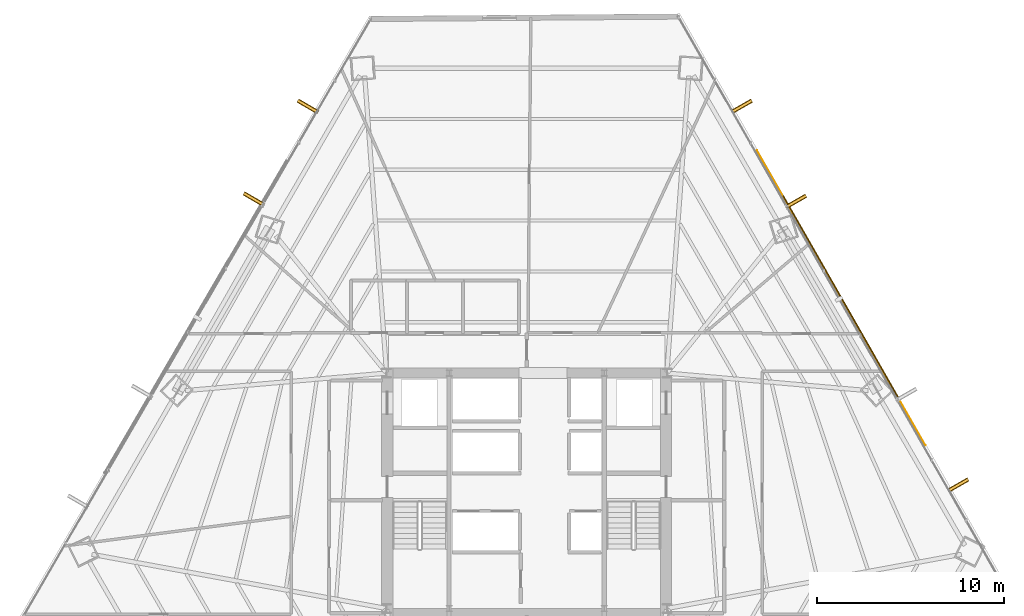
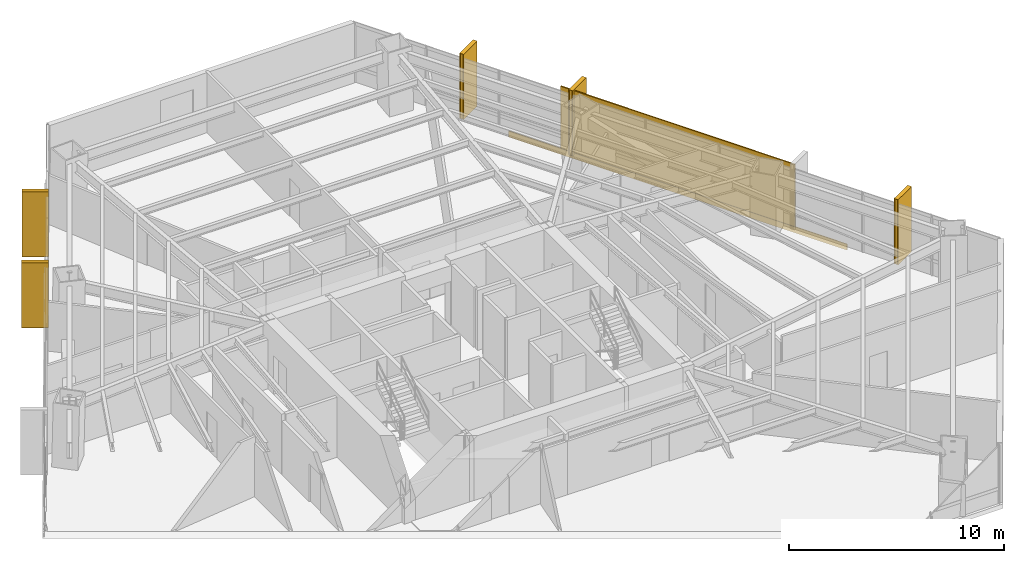
# One storey, part 34 of 34: 6 coverings, 6 shading devices.
"""IFC4 building model written with IfcOpenShell, lengths in metres."""

from ifc_helpers import new_model, si_unit, direction, frame, origin, origin_2d, place, context, subcontext, project, spatial, rectangle, extrude, source, transform, mapped, material, layer, layer_set, type_object, type_shapes, element, save


model = new_model("IFC4")

# Units and contexts
model_context = context("Model", 3, precision=1e-05, world=origin(), true_north=direction((0.0, 1.0)))
body_context = subcontext(model_context, "Body", "Model", "MODEL_VIEW")
ifc_project = project(units=[si_unit("LENGTHUNIT", "METRE"), si_unit("AREAUNIT", "SQUARE_METRE"), si_unit("VOLUMEUNIT", "CUBIC_METRE"), si_unit("PLANEANGLEUNIT", "RADIAN"), si_unit("MASSUNIT", "GRAM", prefix="KILO")], contexts=[model_context])

# Site, building, storey
site_placement = place(None, origin())
site = spatial("IfcSite", under=ifc_project, at=site_placement, CompositionType="ELEMENT")
building_placement = place(site_placement, origin())
building = spatial("IfcBuilding", under=site, at=building_placement, Name="Caelisora Broadcast Tower", CompositionType="ELEMENT")
storey_placement = place(building_placement, frame((0.0, 0.0, 49.5)))
storey = spatial("IfcBuildingStorey", under=building, at=storey_placement, Name="L12", CompositionType="ELEMENT", Elevation=49.5)

# Coverings
ifc_material_1 = material(Name="Kiln-Fired Terracotta Spandrel Rainscreen Cladding", Category="ceramic")
ifc_layer_1 = layer(ifc_material_1, 0.044921875, Name="Kiln-Fired Terracotta Spandrel Rainscreen Cladding")
ifc_layer_set_1 = layer_set([ifc_layer_1], Name="Kiln-Fired Terracotta Spandrel Rainscreen Cladding")
covering_type = type_object("IfcCoveringType", Name="CL-1", PredefinedType="CLADDING", material=ifc_layer_set_1)
shared_shape_1 = source(origin(), body_context, "Body", "SweptSolid", [
    extrude(rectangle(XDim=0.219970703125, YDim=1.25, at=origin_2d()), origin(), (0.0, 0.0, 1.0), 3.68994140625),
])
for number, where, z_axis, x_axis, name in (
    (1, (49.504150390625, 44.2705078125, -0.02001953125), (0.0, 0.0, 1.0), (0.496064966839, -0.868285407383, 0.0), "L12 vertical solar fin cladding #1-1"),
    (2, (52.409912109375, 39.18408203125, -0.02001953125), (0.0, 0.0, 1.0), (0.496064966839, -0.868285407383, 0.0), "L12 vertical solar fin cladding #1-2"),
    (3, (61.08447265625, 24.00048828125, -0.02001953125), (0.0, 0.0, 1.0), (0.496064966839, -0.868285407383, 0.0), "L12 vertical solar fin cladding #1-4"),
    (4, (23.402099609375, 39.305419921875, -0.02001953125), (0.0, 0.0, 1.0), (0.50286909456, 0.864362582332, 0.0), "L12 vertical solar fin cladding #3-3"),
    (5, (26.28955078125, 44.2685546875, -0.02001953125), (0.0, 0.0, 1.0), (0.50286909456, 0.864362582332, 0.0), "L12 vertical solar fin cladding #3-4"),
):
    element("IfcCovering", number, at=place(storey_placement, frame(where, z_axis=z_axis, x_axis=x_axis)), inside=storey, type_object=covering_type, Name=name, PredefinedType="CLADDING", context=body_context, shape_type="MappedRepresentation", body=[
        mapped(shared_shape_1, transform((0.0, 0.0, 0.0), scale=1.0)),
    ])

# Shading devices
ifc_material_2 = material(Name="Extruded Terracotta Flaring Colonnade Fin", Category="ceramic")
ifc_layer_2 = layer(ifc_material_2, 0.139892578125, Name="Extruded Terracotta Flaring Colonnade Fin")
ifc_layer_set_2 = layer_set([ifc_layer_2], Name="Extruded Terracotta Flaring Colonnade Fin")
shading_device_type_1 = type_object("IfcShadingDeviceType", Name="FN-1", PredefinedType="USERDEFINED", material=ifc_layer_set_2)
shared_shape_2 = source(origin(), body_context, "Body", "SweptSolid", [
    extrude(rectangle(XDim=0.139892578125, YDim=1.25, at=origin_2d()), origin(), (0.0, 0.0, 1.0), 3.669921875),
])
type_shapes(shading_device_type_1, [shared_shape_2])
for number, where, z_axis, x_axis, name in (
    (6, (49.504150390625, 44.2705078125, -0.010009765625), (0.0, 0.0, 1.0), (0.496064966839, -0.868285407383, 0.0), "L12 vertical terracotta fin #1-1"),
    (7, (52.409912109375, 39.18408203125, -0.010009765625), (0.0, 0.0, 1.0), (0.496064966839, -0.868285407383, 0.0), "L12 vertical terracotta fin #1-2"),
    (8, (61.08447265625, 24.00048828125, -0.010009765625), (0.0, 0.0, 1.0), (0.496064966839, -0.868285407383, 0.0), "L12 vertical terracotta fin #1-4"),
    (9, (23.402099609375, 39.305419921875, -0.010009765625), (0.0, 0.0, 1.0), (0.50286909456, 0.864362582332, 0.0), "L12 vertical terracotta fin #3-3"),
    (10, (26.28955078125, 44.2685546875, -0.010009765625), (0.0, 0.0, 1.0), (0.50286909456, 0.864362582332, 0.0), "L12 vertical terracotta fin #3-4"),
):
    element("IfcShadingDevice", number, at=place(storey_placement, frame(where, z_axis=z_axis, x_axis=x_axis)), inside=storey, type_object=shading_device_type_1, Name=name, ObjectType="FIN", PredefinedType="USERDEFINED", context=body_context, shape_type="MappedRepresentation", body=[
        mapped(shared_shape_2, transform((0.0, 0.0, 0.0), scale=1.0)),
    ])
ifc_material_3 = material(Name="Perforated Glazed Terracotta Baguette Solar Screen", Category="ceramic")
ifc_layer_3 = layer(ifc_material_3, 0.06494140625, Name="Perforated Glazed Terracotta Baguette Solar Screen")
ifc_layer_set_3 = layer_set([ifc_layer_3], Name="Perforated Glazed Terracotta Baguette Solar Screen")
shading_device_type_2 = type_object("IfcShadingDeviceType", Name="SS-1", PredefinedType="USERDEFINED", material=ifc_layer_set_3)
shared_shape_3 = source(origin(), body_context, "Body", "SweptSolid", [
    extrude(rectangle(XDim=12.5869140625, YDim=0.06494140625, at=origin_2d()), origin(), (0.0, 0.0, 1.0), 3.590087890625),
])
type_shapes(shading_device_type_2, [shared_shape_3])
shading_device_placement = place(storey_placement, frame((54.835693359375, 34.03125, 0.0), z_axis=(0.0, 0.0, 1.0), x_axis=(-0.496064966839, 0.868285407383, 0.0)))
element("IfcShadingDevice", 11, at=shading_device_placement, inside=storey, type_object=shading_device_type_2, Name="L12 perforated terracotta solar screen #3", ObjectType="SOLAR SCREEN", PredefinedType="USERDEFINED", context=body_context, shape_type="MappedRepresentation", body=[
    mapped(shared_shape_3, transform((0.0, 0.0, 0.0), scale=1.0)),
])

# Covering
shared_shape_4 = source(origin(), body_context, "Body", "SweptSolid", [
    extrude(rectangle(XDim=18.180908203125, YDim=0.044921875, at=origin_2d()), origin(), (0.0, 0.0, 1.0), 0.340087890625),
])
type_shapes(covering_type, [shared_shape_1, shared_shape_4])
covering_placement = place(storey_placement, frame((54.818359375, 34.021240234375, -0.27001953125), z_axis=(0.0, 0.0, 1.0), x_axis=(-0.496064966839, 0.868285407383, 0.0)))
element("IfcCovering", 12, at=covering_placement, inside=storey, type_object=covering_type, Name="L12 terracotta spandrel rainscreen #3", PredefinedType="CLADDING", context=body_context, shape_type="MappedRepresentation", body=[
    mapped(shared_shape_4, transform((0.0, 0.0, 0.0), scale=1.0)),
])

save(model, "model.ifc")
